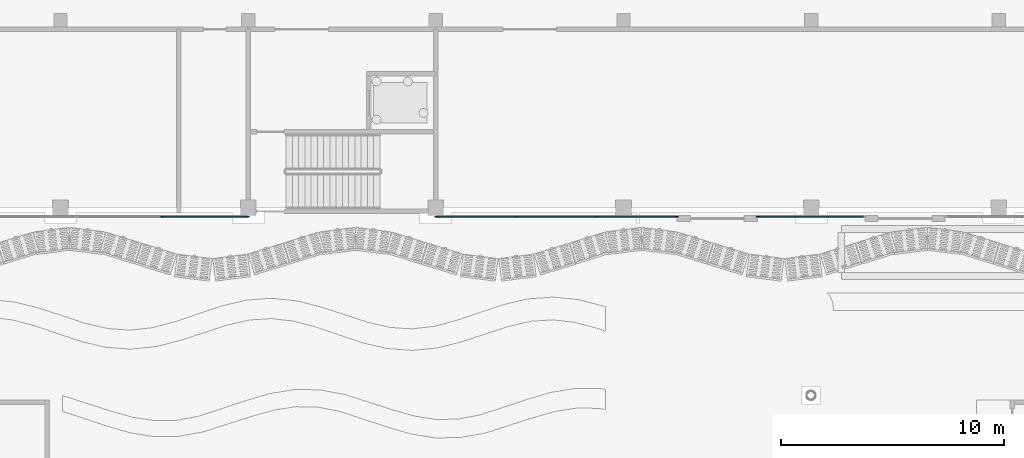
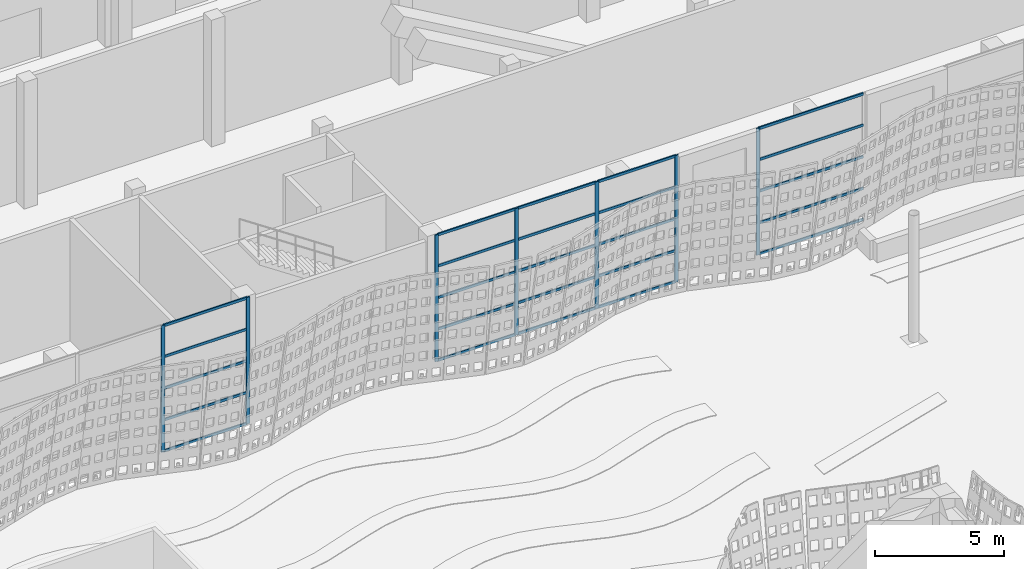
# One storey, part 31 of 210: 32 members, 3 elements without a shape of their own.
"""IFC4 building model written with IfcOpenShell, lengths in metres."""

from ifc_helpers import new_model, si_unit, direction, frame, origin, origin_2d, place, context, subcontext, project, spatial, rectangle, extrude, material, layer, layer_set, material_profile, profile_set, type_object, element, aggregate, save


model = new_model("IFC4")

# Units and contexts
model_context = context("Model", 3, precision=1e-05, world=origin(), true_north=direction((0.0, 1.0)))
body_context = subcontext(model_context, "Body", "Model", "MODEL_VIEW")
ifc_project = project(units=[si_unit("LENGTHUNIT", "METRE"), si_unit("AREAUNIT", "SQUARE_METRE"), si_unit("VOLUMEUNIT", "CUBIC_METRE"), si_unit("PLANEANGLEUNIT", "RADIAN"), si_unit("MASSUNIT", "GRAM", prefix="KILO")], contexts=[model_context])

# Site, building, storey
site_placement = place(None, origin())
site = spatial("IfcSite", under=ifc_project, at=site_placement, CompositionType="ELEMENT")
building_placement = place(site_placement, origin())
building = spatial("IfcBuilding", under=site, at=building_placement, Name="Rain Tree Exposition and Congress Centre", CompositionType="ELEMENT")
storey_placement = place(building_placement, origin())
storey = spatial("IfcBuildingStorey", under=building, at=storey_placement, Name="L00", CompositionType="ELEMENT", Elevation=0.0)

# Curtain wall, members
ifc_material_1 = material(Name="Aluminium curtain wall system", Category="aluminium")
ifc_layer = layer(ifc_material_1, 0.10009765625)
ifc_layer_set = layer_set([ifc_layer], Name="Aluminium curtain wall system")
curtain_wall_type = type_object("IfcCurtainWallType", Name="Concourse curtain wall 4200 module", PredefinedType="NOTDEFINED", material=ifc_layer_set)
curtain_wall_1_placement = place(storey_placement, origin())
curtain_wall_1 = element("IfcCurtainWall", 1, at=curtain_wall_1_placement, inside=storey, type_object=curtain_wall_type, Name="Concourse curtain wall CWC02", PredefinedType="NOTDEFINED")
ifc_material_2 = material(Name="Aluminium mullion", Category="aluminium")
ifc_material_profile_1 = material_profile(ifc_material_2, rectangle(XDim=0.06005859375, YDim=0.159912109375, at=origin_2d()), Name="AL 60x160")
ifc_profile_set_1 = profile_set([ifc_material_profile_1], Name="Aluminium mullion")
member_type_1 = type_object("IfcMemberType", Name="Concourse curtain wall mullion 60x160", PredefinedType="MULLION", material=ifc_profile_set_1)
member_1_placement = place(storey_placement, frame((29.760009765625, 75.199951171875, 0.0), z_axis=(0.0, 0.0, 1.0), x_axis=(0.0, 1.0, 0.0)))
member_1 = element("IfcMember", 2, at=member_1_placement, type_object=member_type_1, Name="CWC02 mullion 5", PredefinedType="MULLION", context=body_context, shape_type="SweptSolid", body=[
    extrude(rectangle(XDim=0.06005859375, YDim=0.159912109375, at=origin_2d()), origin(), (0.0, 0.0, 1.0), 6.0),
])
member_2_placement = place(storey_placement, frame((33.570068359375, 75.199951171875, 0.0), z_axis=(0.0, 0.0, 1.0), x_axis=(0.0, 1.0, 0.0)))
member_2 = element("IfcMember", 3, at=member_2_placement, type_object=member_type_1, Name="CWC02 mullion 6", PredefinedType="MULLION", context=body_context, shape_type="SweptSolid", body=[
    extrude(rectangle(XDim=0.06005859375, YDim=0.159912109375, at=origin_2d()), origin(), (0.0, 0.0, 1.0), 6.0),
])

curtain_wall_2_placement = place(storey_placement, origin())
curtain_wall_2 = element("IfcCurtainWall", 4, at=curtain_wall_2_placement, inside=storey, type_object=curtain_wall_type, Name="Concourse curtain wall CWC03", PredefinedType="NOTDEFINED")
member_3_placement = place(storey_placement, frame((42.030029296875, 75.199951171875, 0.0), z_axis=(0.0, 0.0, 1.0), x_axis=(0.0, 1.0, 0.0)))
member_3 = element("IfcMember", 5, at=member_3_placement, type_object=member_type_1, Name="CWC03 mullion 1", PredefinedType="MULLION", context=body_context, shape_type="SweptSolid", body=[
    extrude(rectangle(XDim=0.06005859375, YDim=0.159912109375, at=origin_2d()), origin(), (0.0, 0.0, 1.0), 6.0),
])
member_4_placement = place(storey_placement, frame((45.60009765625, 75.199951171875, 0.0), z_axis=(0.0, 0.0, 1.0), x_axis=(0.0, 1.0, 0.0)))
member_4 = element("IfcMember", 6, at=member_4_placement, type_object=member_type_1, Name="CWC03 mullion 2", PredefinedType="MULLION", context=body_context, shape_type="SweptSolid", body=[
    extrude(rectangle(XDim=0.06005859375, YDim=0.159912109375, at=origin_2d()), origin(), (0.0, 0.0, 1.0), 6.0),
])
member_5_placement = place(storey_placement, frame((49.199951171875, 75.199951171875, 0.0), z_axis=(0.0, 0.0, 1.0), x_axis=(0.0, 1.0, 0.0)))
member_5 = element("IfcMember", 7, at=member_5_placement, type_object=member_type_1, Name="CWC03 mullion 3", PredefinedType="MULLION", context=body_context, shape_type="SweptSolid", body=[
    extrude(rectangle(XDim=0.06005859375, YDim=0.159912109375, at=origin_2d()), origin(), (0.0, 0.0, 1.0), 6.0),
])
member_6_placement = place(storey_placement, frame((52.77001953125, 75.199951171875, 0.0), z_axis=(0.0, 0.0, 1.0), x_axis=(0.0, 1.0, 0.0)))
member_6 = element("IfcMember", 8, at=member_6_placement, type_object=member_type_1, Name="CWC03 mullion 4", PredefinedType="MULLION", context=body_context, shape_type="SweptSolid", body=[
    extrude(rectangle(XDim=0.06005859375, YDim=0.159912109375, at=origin_2d()), origin(), (0.0, 0.0, 1.0), 6.0),
])

# Curtain wall, member
curtain_wall_3_placement = place(storey_placement, origin())
curtain_wall_3 = element("IfcCurtainWall", 9, at=curtain_wall_3_placement, inside=storey, type_object=curtain_wall_type, Name="Concourse curtain wall CWC04", PredefinedType="NOTDEFINED")
member_7_placement = place(storey_placement, frame((56.429931640625, 75.199951171875, 0.0), z_axis=(0.0, 0.0, 1.0), x_axis=(0.0, 1.0, 0.0)))
member_7 = element("IfcMember", 10, at=member_7_placement, type_object=member_type_1, Name="CWC04 mullion 1", PredefinedType="MULLION", context=body_context, shape_type="SweptSolid", body=[
    extrude(rectangle(XDim=0.06005859375, YDim=0.159912109375, at=origin_2d()), origin(), (0.0, 0.0, 1.0), 6.0),
])

# Member
ifc_material_3 = material(Name="Aluminium transom", Category="aluminium")
ifc_material_profile_2 = material_profile(ifc_material_3, rectangle(XDim=0.06005859375, YDim=0.1201171875, at=origin_2d()), Name="AL 60x120")
ifc_profile_set_2 = profile_set([ifc_material_profile_2], Name="Aluminium transom")
member_type_2 = type_object("IfcMemberType", Name="Concourse curtain wall transom 60x120", PredefinedType="USERDEFINED", material=ifc_profile_set_2)
member_8_placement = place(storey_placement, frame((29.7900390625, 75.199951171875, 0.030029296875), z_axis=(1.0, 0.0, 0.0), x_axis=(0.0, 1.0, 0.0)))
member_8 = element("IfcMember", 11, at=member_8_placement, type_object=member_type_2, Name="CWC02 transom 5.1", ObjectType="TRANSOM", PredefinedType="USERDEFINED", context=body_context, shape_type="SweptSolid", body=[
    extrude(rectangle(XDim=0.06005859375, YDim=0.1201171875, at=origin_2d()), origin(), (0.0, 0.0, 1.0), 3.75),
])

member_9_placement = place(storey_placement, frame((29.7900390625, 75.199951171875, 1.5), z_axis=(1.0, 0.0, 0.0), x_axis=(0.0, 1.0, 0.0)))
member_9 = element("IfcMember", 12, at=member_9_placement, type_object=member_type_2, Name="CWC02 transom 5.2", ObjectType="TRANSOM", PredefinedType="USERDEFINED", context=body_context, shape_type="SweptSolid", body=[
    extrude(rectangle(XDim=0.06005859375, YDim=0.1201171875, at=origin_2d()), origin(), (0.0, 0.0, 1.0), 3.75),
])

member_10_placement = place(storey_placement, frame((29.7900390625, 75.199951171875, 3.0), z_axis=(1.0, 0.0, 0.0), x_axis=(0.0, 1.0, 0.0)))
member_10 = element("IfcMember", 13, at=member_10_placement, type_object=member_type_2, Name="CWC02 transom 5.3", ObjectType="TRANSOM", PredefinedType="USERDEFINED", context=body_context, shape_type="SweptSolid", body=[
    extrude(rectangle(XDim=0.06005859375, YDim=0.1201171875, at=origin_2d()), origin(), (0.0, 0.0, 1.0), 3.75),
])

member_11_placement = place(storey_placement, frame((29.7900390625, 75.199951171875, 4.5), z_axis=(1.0, 0.0, 0.0), x_axis=(0.0, 1.0, 0.0)))
member_11 = element("IfcMember", 14, at=member_11_placement, type_object=member_type_2, Name="CWC02 transom 5.4", ObjectType="TRANSOM", PredefinedType="USERDEFINED", context=body_context, shape_type="SweptSolid", body=[
    extrude(rectangle(XDim=0.06005859375, YDim=0.1201171875, at=origin_2d()), origin(), (0.0, 0.0, 1.0), 3.75),
])

member_12_placement = place(storey_placement, frame((29.7900390625, 75.199951171875, 5.969970703125), z_axis=(1.0, 0.0, 0.0), x_axis=(0.0, 1.0, 0.0)))
member_12 = element("IfcMember", 15, at=member_12_placement, type_object=member_type_2, Name="CWC02 transom 5.5", ObjectType="TRANSOM", PredefinedType="USERDEFINED", context=body_context, shape_type="SweptSolid", body=[
    extrude(rectangle(XDim=0.06005859375, YDim=0.1201171875, at=origin_2d()), origin(), (0.0, 0.0, 1.0), 3.75),
])

aggregate(curtain_wall_1, [member_1, member_2, member_8, member_9, member_10, member_11, member_12])

member_13_placement = place(storey_placement, frame((42.06005859375, 75.199951171875, 0.030029296875), z_axis=(1.0, 0.0, 0.0), x_axis=(0.0, 1.0, 0.0)))
member_13 = element("IfcMember", 16, at=member_13_placement, type_object=member_type_2, Name="CWC03 transom 1.1", ObjectType="TRANSOM", PredefinedType="USERDEFINED", context=body_context, shape_type="SweptSolid", body=[
    extrude(rectangle(XDim=0.06005859375, YDim=0.1201171875, at=origin_2d()), origin(), (0.0, 0.0, 1.0), 3.510009765625),
])

member_14_placement = place(storey_placement, frame((42.06005859375, 75.199951171875, 1.5), z_axis=(1.0, 0.0, 0.0), x_axis=(0.0, 1.0, 0.0)))
member_14 = element("IfcMember", 17, at=member_14_placement, type_object=member_type_2, Name="CWC03 transom 1.2", ObjectType="TRANSOM", PredefinedType="USERDEFINED", context=body_context, shape_type="SweptSolid", body=[
    extrude(rectangle(XDim=0.06005859375, YDim=0.1201171875, at=origin_2d()), origin(), (0.0, 0.0, 1.0), 3.510009765625),
])

member_15_placement = place(storey_placement, frame((42.06005859375, 75.199951171875, 3.0), z_axis=(1.0, 0.0, 0.0), x_axis=(0.0, 1.0, 0.0)))
member_15 = element("IfcMember", 18, at=member_15_placement, type_object=member_type_2, Name="CWC03 transom 1.3", ObjectType="TRANSOM", PredefinedType="USERDEFINED", context=body_context, shape_type="SweptSolid", body=[
    extrude(rectangle(XDim=0.06005859375, YDim=0.1201171875, at=origin_2d()), origin(), (0.0, 0.0, 1.0), 3.510009765625),
])

member_16_placement = place(storey_placement, frame((42.06005859375, 75.199951171875, 4.5), z_axis=(1.0, 0.0, 0.0), x_axis=(0.0, 1.0, 0.0)))
member_16 = element("IfcMember", 19, at=member_16_placement, type_object=member_type_2, Name="CWC03 transom 1.4", ObjectType="TRANSOM", PredefinedType="USERDEFINED", context=body_context, shape_type="SweptSolid", body=[
    extrude(rectangle(XDim=0.06005859375, YDim=0.1201171875, at=origin_2d()), origin(), (0.0, 0.0, 1.0), 3.510009765625),
])

member_17_placement = place(storey_placement, frame((42.06005859375, 75.199951171875, 5.969970703125), z_axis=(1.0, 0.0, 0.0), x_axis=(0.0, 1.0, 0.0)))
member_17 = element("IfcMember", 20, at=member_17_placement, type_object=member_type_2, Name="CWC03 transom 1.5", ObjectType="TRANSOM", PredefinedType="USERDEFINED", context=body_context, shape_type="SweptSolid", body=[
    extrude(rectangle(XDim=0.06005859375, YDim=0.1201171875, at=origin_2d()), origin(), (0.0, 0.0, 1.0), 3.510009765625),
])

member_18_placement = place(storey_placement, frame((45.6298828125, 75.199951171875, 0.030029296875), z_axis=(1.0, 0.0, 0.0), x_axis=(0.0, 1.0, 0.0)))
member_18 = element("IfcMember", 21, at=member_18_placement, type_object=member_type_2, Name="CWC03 transom 2.1", ObjectType="TRANSOM", PredefinedType="USERDEFINED", context=body_context, shape_type="SweptSolid", body=[
    extrude(rectangle(XDim=0.06005859375, YDim=0.1201171875, at=origin_2d()), origin(), (0.0, 0.0, 1.0), 3.5400390625),
])

member_19_placement = place(storey_placement, frame((45.6298828125, 75.199951171875, 1.5), z_axis=(1.0, 0.0, 0.0), x_axis=(0.0, 1.0, 0.0)))
member_19 = element("IfcMember", 22, at=member_19_placement, type_object=member_type_2, Name="CWC03 transom 2.2", ObjectType="TRANSOM", PredefinedType="USERDEFINED", context=body_context, shape_type="SweptSolid", body=[
    extrude(rectangle(XDim=0.06005859375, YDim=0.1201171875, at=origin_2d()), origin(), (0.0, 0.0, 1.0), 3.5400390625),
])

member_20_placement = place(storey_placement, frame((45.6298828125, 75.199951171875, 3.0), z_axis=(1.0, 0.0, 0.0), x_axis=(0.0, 1.0, 0.0)))
member_20 = element("IfcMember", 23, at=member_20_placement, type_object=member_type_2, Name="CWC03 transom 2.3", ObjectType="TRANSOM", PredefinedType="USERDEFINED", context=body_context, shape_type="SweptSolid", body=[
    extrude(rectangle(XDim=0.06005859375, YDim=0.1201171875, at=origin_2d()), origin(), (0.0, 0.0, 1.0), 3.5400390625),
])

member_21_placement = place(storey_placement, frame((45.6298828125, 75.199951171875, 4.5), z_axis=(1.0, 0.0, 0.0), x_axis=(0.0, 1.0, 0.0)))
member_21 = element("IfcMember", 24, at=member_21_placement, type_object=member_type_2, Name="CWC03 transom 2.4", ObjectType="TRANSOM", PredefinedType="USERDEFINED", context=body_context, shape_type="SweptSolid", body=[
    extrude(rectangle(XDim=0.06005859375, YDim=0.1201171875, at=origin_2d()), origin(), (0.0, 0.0, 1.0), 3.5400390625),
])

member_22_placement = place(storey_placement, frame((45.6298828125, 75.199951171875, 5.969970703125), z_axis=(1.0, 0.0, 0.0), x_axis=(0.0, 1.0, 0.0)))
member_22 = element("IfcMember", 25, at=member_22_placement, type_object=member_type_2, Name="CWC03 transom 2.5", ObjectType="TRANSOM", PredefinedType="USERDEFINED", context=body_context, shape_type="SweptSolid", body=[
    extrude(rectangle(XDim=0.06005859375, YDim=0.1201171875, at=origin_2d()), origin(), (0.0, 0.0, 1.0), 3.5400390625),
])

member_23_placement = place(storey_placement, frame((49.22998046875, 75.199951171875, 0.030029296875), z_axis=(1.0, 0.0, 0.0), x_axis=(0.0, 1.0, 0.0)))
member_23 = element("IfcMember", 26, at=member_23_placement, type_object=member_type_2, Name="CWC03 transom 3.1", ObjectType="TRANSOM", PredefinedType="USERDEFINED", context=body_context, shape_type="SweptSolid", body=[
    extrude(rectangle(XDim=0.06005859375, YDim=0.1201171875, at=origin_2d()), origin(), (0.0, 0.0, 1.0), 3.510009765625),
])

member_24_placement = place(storey_placement, frame((49.22998046875, 75.199951171875, 1.5), z_axis=(1.0, 0.0, 0.0), x_axis=(0.0, 1.0, 0.0)))
member_24 = element("IfcMember", 27, at=member_24_placement, type_object=member_type_2, Name="CWC03 transom 3.2", ObjectType="TRANSOM", PredefinedType="USERDEFINED", context=body_context, shape_type="SweptSolid", body=[
    extrude(rectangle(XDim=0.06005859375, YDim=0.1201171875, at=origin_2d()), origin(), (0.0, 0.0, 1.0), 3.510009765625),
])

member_25_placement = place(storey_placement, frame((49.22998046875, 75.199951171875, 3.0), z_axis=(1.0, 0.0, 0.0), x_axis=(0.0, 1.0, 0.0)))
member_25 = element("IfcMember", 28, at=member_25_placement, type_object=member_type_2, Name="CWC03 transom 3.3", ObjectType="TRANSOM", PredefinedType="USERDEFINED", context=body_context, shape_type="SweptSolid", body=[
    extrude(rectangle(XDim=0.06005859375, YDim=0.1201171875, at=origin_2d()), origin(), (0.0, 0.0, 1.0), 3.510009765625),
])

member_26_placement = place(storey_placement, frame((49.22998046875, 75.199951171875, 4.5), z_axis=(1.0, 0.0, 0.0), x_axis=(0.0, 1.0, 0.0)))
member_26 = element("IfcMember", 29, at=member_26_placement, type_object=member_type_2, Name="CWC03 transom 3.4", ObjectType="TRANSOM", PredefinedType="USERDEFINED", context=body_context, shape_type="SweptSolid", body=[
    extrude(rectangle(XDim=0.06005859375, YDim=0.1201171875, at=origin_2d()), origin(), (0.0, 0.0, 1.0), 3.510009765625),
])

member_27_placement = place(storey_placement, frame((49.22998046875, 75.199951171875, 5.969970703125), z_axis=(1.0, 0.0, 0.0), x_axis=(0.0, 1.0, 0.0)))
member_27 = element("IfcMember", 30, at=member_27_placement, type_object=member_type_2, Name="CWC03 transom 3.5", ObjectType="TRANSOM", PredefinedType="USERDEFINED", context=body_context, shape_type="SweptSolid", body=[
    extrude(rectangle(XDim=0.06005859375, YDim=0.1201171875, at=origin_2d()), origin(), (0.0, 0.0, 1.0), 3.510009765625),
])

aggregate(curtain_wall_2, [member_3, member_4, member_5, member_6, member_13, member_14, member_15, member_16, member_17, member_18, member_19, member_20, member_21, member_22, member_23, member_24, member_25, member_26, member_27])

member_28_placement = place(storey_placement, frame((56.4599609375, 75.199951171875, 0.030029296875), z_axis=(1.0, 0.0, 0.0), x_axis=(0.0, 1.0, 0.0)))
member_28 = element("IfcMember", 31, at=member_28_placement, type_object=member_type_2, Name="CWC04 transom 1.1", ObjectType="TRANSOM", PredefinedType="USERDEFINED", context=body_context, shape_type="SweptSolid", body=[
    extrude(rectangle(XDim=0.06005859375, YDim=0.1201171875, at=origin_2d()), origin(), (0.0, 0.0, 1.0), 4.679931640625),
])

member_29_placement = place(storey_placement, frame((56.4599609375, 75.199951171875, 1.5), z_axis=(1.0, 0.0, 0.0), x_axis=(0.0, 1.0, 0.0)))
member_29 = element("IfcMember", 32, at=member_29_placement, type_object=member_type_2, Name="CWC04 transom 1.2", ObjectType="TRANSOM", PredefinedType="USERDEFINED", context=body_context, shape_type="SweptSolid", body=[
    extrude(rectangle(XDim=0.06005859375, YDim=0.1201171875, at=origin_2d()), origin(), (0.0, 0.0, 1.0), 4.679931640625),
])

member_30_placement = place(storey_placement, frame((56.4599609375, 75.199951171875, 3.0), z_axis=(1.0, 0.0, 0.0), x_axis=(0.0, 1.0, 0.0)))
member_30 = element("IfcMember", 33, at=member_30_placement, type_object=member_type_2, Name="CWC04 transom 1.3", ObjectType="TRANSOM", PredefinedType="USERDEFINED", context=body_context, shape_type="SweptSolid", body=[
    extrude(rectangle(XDim=0.06005859375, YDim=0.1201171875, at=origin_2d()), origin(), (0.0, 0.0, 1.0), 4.679931640625),
])

member_31_placement = place(storey_placement, frame((56.4599609375, 75.199951171875, 4.5), z_axis=(1.0, 0.0, 0.0), x_axis=(0.0, 1.0, 0.0)))
member_31 = element("IfcMember", 34, at=member_31_placement, type_object=member_type_2, Name="CWC04 transom 1.4", ObjectType="TRANSOM", PredefinedType="USERDEFINED", context=body_context, shape_type="SweptSolid", body=[
    extrude(rectangle(XDim=0.06005859375, YDim=0.1201171875, at=origin_2d()), origin(), (0.0, 0.0, 1.0), 4.679931640625),
])

member_32_placement = place(storey_placement, frame((56.4599609375, 75.199951171875, 5.969970703125), z_axis=(1.0, 0.0, 0.0), x_axis=(0.0, 1.0, 0.0)))
member_32 = element("IfcMember", 35, at=member_32_placement, type_object=member_type_2, Name="CWC04 transom 1.5", ObjectType="TRANSOM", PredefinedType="USERDEFINED", context=body_context, shape_type="SweptSolid", body=[
    extrude(rectangle(XDim=0.06005859375, YDim=0.1201171875, at=origin_2d()), origin(), (0.0, 0.0, 1.0), 4.679931640625),
])

aggregate(curtain_wall_3, [member_7, member_28, member_29, member_30, member_31, member_32])

save(model, "model.ifc")
